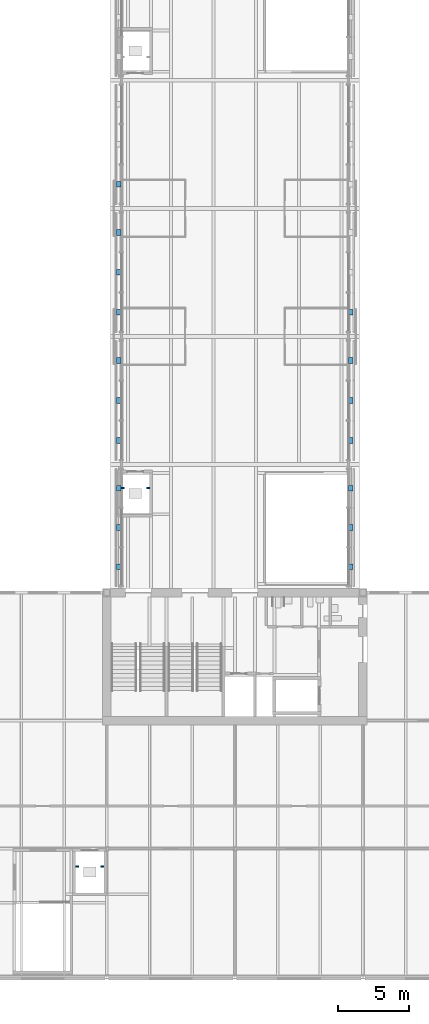
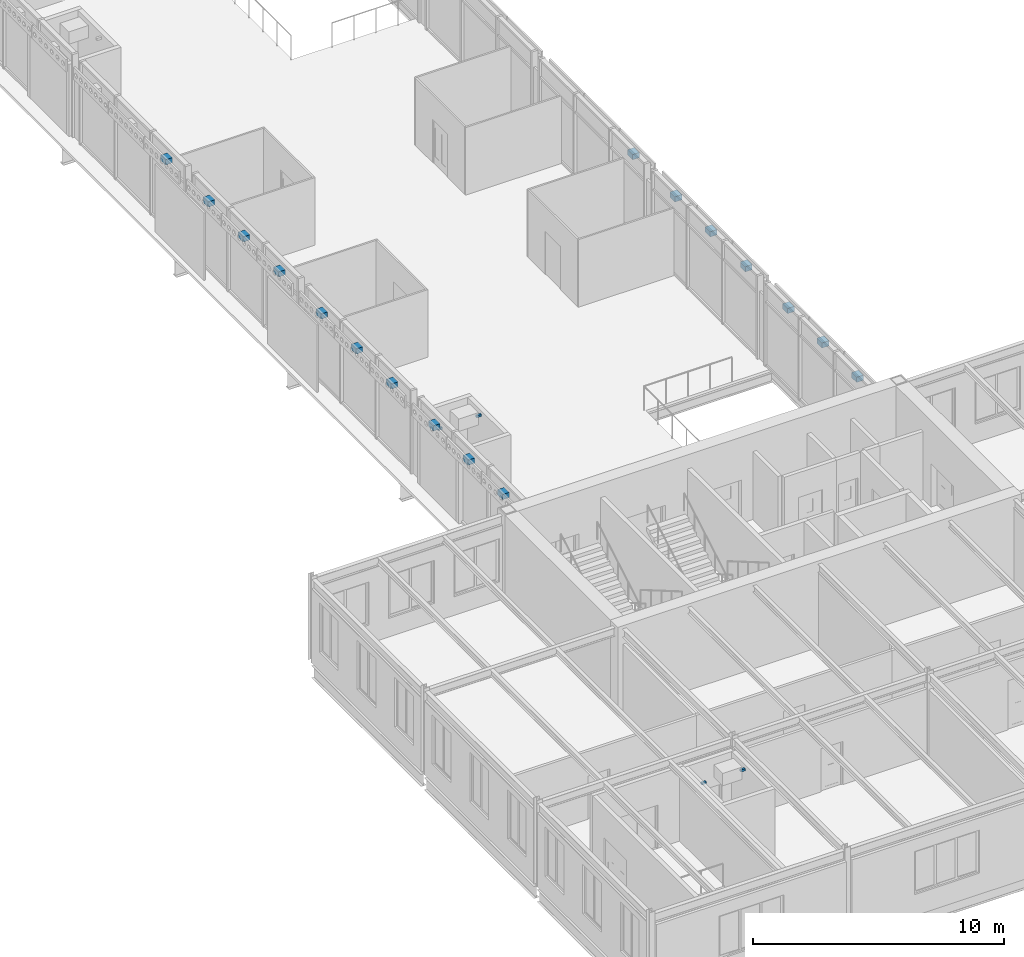
# One storey, part 88 of 123: 21 discrete accessories.
"""IFC4 building model written with IfcOpenShell, lengths in metres."""

from ifc_helpers import new_model, si_unit, direction, frame, origin, origin_2d, place, context, subcontext, project, spatial, rectangle, extrude, material, type_object, element, save


model = new_model("IFC4")

# Units and contexts
model_context = context("Model", 3, precision=1e-05, world=origin(), true_north=direction((0.0, 1.0)))
body_context = subcontext(model_context, "Body", "Model", "MODEL_VIEW")
ifc_project = project(units=[si_unit("LENGTHUNIT", "METRE"), si_unit("AREAUNIT", "SQUARE_METRE"), si_unit("VOLUMEUNIT", "CUBIC_METRE"), si_unit("PLANEANGLEUNIT", "RADIAN"), si_unit("MASSUNIT", "GRAM", prefix="KILO")], contexts=[model_context])

# Site, building, storey
site_placement = place(None, origin())
site = spatial("IfcSite", under=ifc_project, at=site_placement, CompositionType="ELEMENT")
building_placement = place(site_placement, origin())
building = spatial("IfcBuilding", under=site, at=building_placement, Name="Baradari Gate Terminus", CompositionType="ELEMENT")
storey_placement = place(building_placement, frame((0.0, 0.0, 7.5)))
storey = spatial("IfcBuildingStorey", under=building, at=storey_placement, Name="L01", CompositionType="ELEMENT", Elevation=7.5)

# Discrete accessories
ifc_material_1 = material(Name="Stainless steel 316", Category="steel")
discrete_accessory_type_1 = type_object("IfcDiscreteAccessoryType", Name="Jali screen bracket BK-2 stainless steel", PredefinedType="BRACKET", material=ifc_material_1)
for number, where, z_axis, x_axis, name in (
    (1, (72.84619140625, 37.816650390625, 3.449951171875), (0.0, 0.0, 1.0), (-1.0, 0.0, 0.0), "Jali screen bracket BK-2 L01/GW1 bay 1"),
    (2, (72.84619140625, 40.574951171875, 3.449951171875), (0.0, 0.0, 1.0), (-1.0, 0.0, 0.0), "Jali screen bracket BK-2 L01/GW1 bay 2"),
    (3, (72.84619140625, 43.333251953125, 3.449951171875), (0.0, 0.0, 1.0), (-1.0, 0.0, 0.0), "Jali screen bracket BK-2 L01/GW1 bay 3"),
    (4, (72.84619140625, 46.691650390625, 3.449951171875), (0.0, 0.0, 1.0), (-1.0, 0.0, 0.0), "Jali screen bracket BK-2 L01/GW2 bay 1"),
    (5, (72.84619140625, 49.5, 3.449951171875), (0.0, 0.0, 1.0), (-1.0, 0.0, 0.0), "Jali screen bracket BK-2 L01/GW2 bay 2"),
    (6, (72.84619140625, 52.308349609375, 3.449951171875), (0.0, 0.0, 1.0), (-1.0, 0.0, 0.0), "Jali screen bracket BK-2 L01/GW2 bay 3"),
    (7, (72.84619140625, 55.691650390625, 3.449951171875), (0.0, 0.0, 1.0), (-1.0, 0.0, 0.0), "Jali screen bracket BK-2 L01/GW3 bay 1"),
    (8, (72.84619140625, 58.5, 3.449951171875), (0.0, 0.0, 1.0), (-1.0, 0.0, 0.0), "Jali screen bracket BK-2 L01/GW3 bay 2"),
    (9, (72.84619140625, 61.308349609375, 3.449951171875), (0.0, 0.0, 1.0), (-1.0, 0.0, 0.0), "Jali screen bracket BK-2 L01/GW3 bay 3"),
    (10, (72.84619140625, 64.691650390625, 3.449951171875), (0.0, 0.0, 1.0), (-1.0, 0.0, 0.0), "Jali screen bracket BK-2 L01/GW4 bay 1"),
    (11, (89.15380859375, 37.816650390625, 3.449951171875), (0.0, 0.0, 1.0), (1.0, 0.0, 0.0), "Jali screen bracket BK-2 L01/GE1 bay 1"),
    (12, (89.15380859375, 40.574951171875, 3.449951171875), (0.0, 0.0, 1.0), (1.0, 0.0, 0.0), "Jali screen bracket BK-2 L01/GE1 bay 2"),
    (13, (89.15380859375, 43.333251953125, 3.449951171875), (0.0, 0.0, 1.0), (1.0, 0.0, 0.0), "Jali screen bracket BK-2 L01/GE1 bay 3"),
    (14, (89.15380859375, 46.691650390625, 3.449951171875), (0.0, 0.0, 1.0), (1.0, 0.0, 0.0), "Jali screen bracket BK-2 L01/GE2 bay 1"),
    (15, (89.15380859375, 49.5, 3.449951171875), (0.0, 0.0, 1.0), (1.0, 0.0, 0.0), "Jali screen bracket BK-2 L01/GE2 bay 2"),
    (16, (89.15380859375, 52.308349609375, 3.449951171875), (0.0, 0.0, 1.0), (1.0, 0.0, 0.0), "Jali screen bracket BK-2 L01/GE2 bay 3"),
    (17, (89.15380859375, 55.691650390625, 3.449951171875), (0.0, 0.0, 1.0), (1.0, 0.0, 0.0), "Jali screen bracket BK-2 L01/GE3 bay 1"),
):
    element("IfcDiscreteAccessory", number, at=place(storey_placement, frame(where, z_axis=z_axis, x_axis=x_axis)), inside=storey, type_object=discrete_accessory_type_1, Name=name, PredefinedType="BRACKET", context=body_context, shape_type="SweptSolid", body=[
        extrude(rectangle(XDim=0.3173828125, YDim=0.39990234375, at=origin_2d()), origin(), (0.0, 0.0, 1.0), 0.25),
    ])
ifc_material_2 = material(Name="Steel S355", Category="steel")
discrete_accessory_type_2 = type_object("IfcDiscreteAccessoryType", Name="Lift rail bracket RB-L1 100x100", PredefinedType="BRACKET", material=ifc_material_2)
for number, where, z_axis, x_axis, name in (
    (18, (73.10498046875, 43.35009765625, 3.25), (0.0, 0.0, 1.0), (1.0, 0.0, 0.0), "Lift rail bracket LP1 1B"),
    (19, (74.89501953125, 43.35009765625, 3.25), (0.0, 0.0, 1.0), (1.0, 0.0, 0.0), "Lift rail bracket LP1 2B"),
    (20, (69.905029296875, 16.75, 3.25), (0.0, 0.0, 1.0), (1.0, 0.0, 0.0), "Lift rail bracket LSW1 1B"),
    (21, (71.695068359375, 16.75, 3.25), (0.0, 0.0, 1.0), (1.0, 0.0, 0.0), "Lift rail bracket LSW1 2B"),
):
    element("IfcDiscreteAccessory", number, at=place(storey_placement, frame(where, z_axis=z_axis, x_axis=x_axis)), inside=storey, type_object=discrete_accessory_type_2, Name=name, PredefinedType="BRACKET", context=body_context, shape_type="SweptSolid", body=[
        extrude(rectangle(XDim=0.2099609375, YDim=0.10009765625, at=origin_2d()), origin(), (0.0, 0.0, 1.0), 0.10009765625),
    ])

save(model, "model.ifc")
